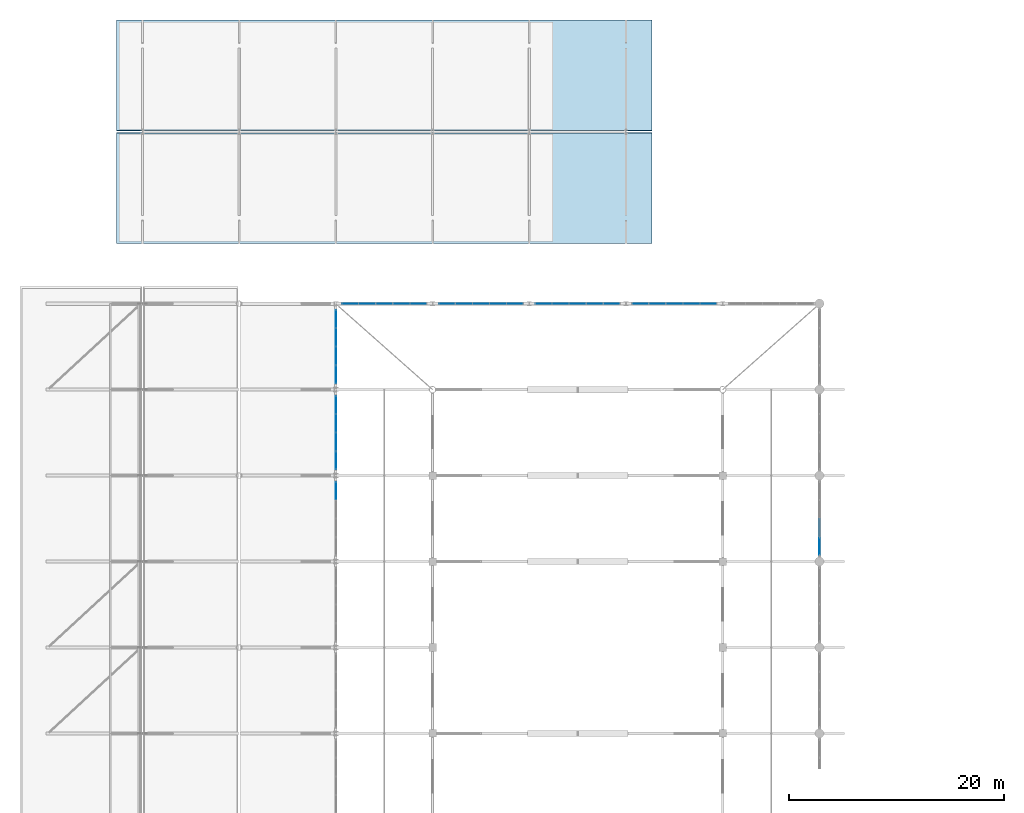
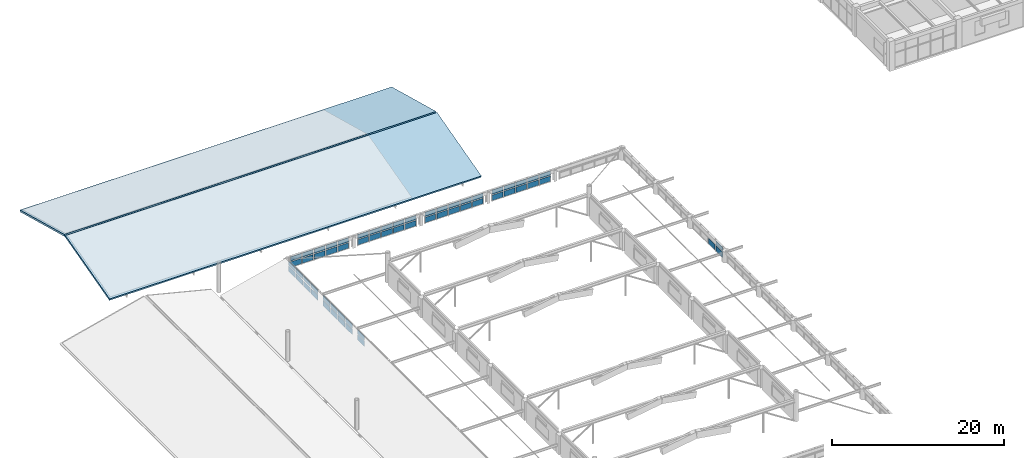
# One storey, part 103 of 128: 61 plates, 2 slabs, 9 elements without a shape of their own.
"""IFC4 building model written with IfcOpenShell, lengths in metres."""

import ifcopenshell
import ifcopenshell.guid

model = None  # the IFC model being written
_history = None  # IfcOwnerHistory: only IFC2X3 demands one
_inside = {}  # id of a spatial element -> (the spatial element, [elements in it])
_under = {}  # id of a project, library or spatial element -> (it, [spatial elements below it])
_declared = {}  # id of a project -> (the project, [libraries it declares])
_typed = {}  # id of a type object -> (the type object, [elements of that type])
_made_of = {}  # id of a material, layer set ... -> (it, [elements and type objects made of it])


def new_model(schema):
    """Start an empty IFC model of exactly this schema.

    Asked for "IFC4X3", IfcOpenShell would pick the latest addendum, in which some entities
    have other attributes; the version numbers below select the first issue.
    IFC2X3 requires an IfcOwnerHistory on every rooted entity: one is made here for all.
    """
    global model, _history
    if schema == "IFC4X3":
        model = ifcopenshell.file(schema_version=(4, 3, 0, 0))
    else:
        model = ifcopenshell.file(schema=schema)
    _inside.clear()
    _under.clear()
    _declared.clear()
    _typed.clear()
    _made_of.clear()
    _history = None
    if model.schema == "IFC2X3":
        org = make("IfcOrganization", Name="unknown")
        user = make(
            "IfcPersonAndOrganization",
            ThePerson=make("IfcPerson", FamilyName="unknown"),
            TheOrganization=org,
        )
        app = make(
            "IfcApplication",
            ApplicationDeveloper=org,
            Version="unknown",
            ApplicationFullName="unknown",
            ApplicationIdentifier="unknown",
        )
        _history = make(
            "IfcOwnerHistory",
            OwningUser=user,
            OwningApplication=app,
            ChangeAction="ADDED",
            CreationDate=0,
        )
    return model


def make(cls, **values):
    """One entity of the class cls with the attributes given. An attribute that is None is left unset."""
    return model.create_entity(
        cls, **{name: value for name, value in values.items() if value is not None}
    )


def rooted(cls, **values):
    """An entity with a GlobalId (a new one), such as an element, a storey or a relation."""
    return make(cls, GlobalId=ifcopenshell.guid.new(), OwnerHistory=_history, **values)


def si_unit(unit_type, name, prefix=None):
    """IfcSIUnit, for example si_unit("LENGTHUNIT", "METRE", prefix="MILLI")."""
    return make("IfcSIUnit", UnitType=unit_type, Prefix=prefix, Name=name)


def derived_unit(unit_type, elements):
    """IfcDerivedUnit: a product of units, each with its exponent."""
    return make(
        "IfcDerivedUnit",
        Elements=[
            make("IfcDerivedUnitElement", Unit=unit, Exponent=power)
            for unit, power in elements
        ],
        UnitType=unit_type,
    )


def assignment(units):
    """IfcUnitAssignment: the units of a project."""
    return None if units is None else make("IfcUnitAssignment", Units=units)


def point(xyz):
    """IfcCartesianPoint."""
    return None if xyz is None else make("IfcCartesianPoint", Coordinates=xyz)


def direction(xyz):
    """IfcDirection."""
    return None if xyz is None else make("IfcDirection", DirectionRatios=xyz)


def frame(location, z_axis=None, x_axis=None):
    """IfcAxis2Placement3D, a coordinate frame: its origin and axes. An axis left out is left unset."""
    return make(
        "IfcAxis2Placement3D",
        Location=point(location),
        Axis=direction(z_axis),
        RefDirection=direction(x_axis),
    )


def frame_2d(location, x_axis=None):
    """IfcAxis2Placement2D, a coordinate frame in the plane: its origin and x axis."""
    return make(
        "IfcAxis2Placement2D", Location=point(location), RefDirection=direction(x_axis)
    )


def origin():
    """The frame at (0, 0, 0) with its axes left unset."""
    return frame((0.0, 0.0, 0.0))


def origin_2d():
    """The frame at (0, 0) in the plane with its x axis left unset."""
    return frame_2d((0.0, 0.0))


def place(relative_to, where):
    """IfcLocalPlacement: puts the frame where relative to a parent placement (None: the world)."""
    return make(
        "IfcLocalPlacement", PlacementRelTo=relative_to, RelativePlacement=where
    )


def context(
    kind, dimensions, precision=None, world=None, true_north=None, identifier=None
):
    """IfcGeometricRepresentationContext, for example the 3D "Model" context."""
    return make(
        "IfcGeometricRepresentationContext",
        ContextIdentifier=identifier,
        ContextType=kind,
        CoordinateSpaceDimension=dimensions,
        Precision=precision,
        WorldCoordinateSystem=world,
        TrueNorth=true_north,
    )


def subcontext(parent, identifier, kind, view, scale=None):
    """IfcGeometricRepresentationSubContext, for example "Body" below "Model"."""
    return make(
        "IfcGeometricRepresentationSubContext",
        ContextIdentifier=identifier,
        ContextType=kind,
        ParentContext=parent,
        TargetScale=scale,
        TargetView=view,
    )


def project(units=None, contexts=None):
    """IfcProject with its units and contexts."""
    return rooted(
        "IfcProject",
        Name="project",
        RepresentationContexts=contexts,
        UnitsInContext=assignment(units),
    )


def spatial(cls, under=None, at=None, **own):
    """A site, building, storey or space (cls), placed at a placement, below another one or the project."""
    s = rooted(cls, ObjectPlacement=at, **own)
    if under is not None:
        _under.setdefault(under.id(), (under, []))[1].append(s)
    return s


def polyline(points):
    """IfcPolyline through the points."""
    return make("IfcPolyline", Points=[point(p) for p in points])


def profile(cls, at=None, kind="AREA", **sizes):
    """A parametric profile (cls). Its sizes go by their IFC names, for example OverallWidth=200.0."""
    return make(cls, ProfileType=kind, Position=at, **sizes)


def rectangle(**sizes):
    """IfcRectangleProfileDef."""
    return profile("IfcRectangleProfileDef", **sizes)


def outline(outer, holes=None, kind="AREA"):
    """IfcArbitraryClosedProfileDef: a profile drawn as a closed curve; with holes, ...WithVoids."""
    if holes is None:
        return make("IfcArbitraryClosedProfileDef", ProfileType=kind, OuterCurve=outer)
    return make(
        "IfcArbitraryProfileDefWithVoids",
        ProfileType=kind,
        OuterCurve=outer,
        InnerCurves=holes,
    )


def extrude(swept, where, along, depth):
    """IfcExtrudedAreaSolid: the profile swept, set in the frame where, extruded along a direction by depth."""
    return make(
        "IfcExtrudedAreaSolid",
        SweptArea=swept,
        Position=where,
        ExtrudedDirection=direction(along),
        Depth=depth,
    )


def shape(context_of_items, identifier, shape_type, items):
    """IfcShapeRepresentation: the items that make up one representation, for example the "Body"."""
    return make(
        "IfcShapeRepresentation",
        ContextOfItems=context_of_items,
        RepresentationIdentifier=identifier,
        RepresentationType=shape_type,
        Items=items,
    )


def material(Name=None, Category=None):
    """IfcMaterial."""
    return make("IfcMaterial", Name=Name, Category=Category)


def layer(
    of_material, thickness, ventilated=None, Name=None, Category=None, Priority=None
):
    """IfcMaterialLayer: one layer of a wall or slab, of a material (None: an air gap)."""
    return make(
        "IfcMaterialLayer",
        Material=of_material,
        LayerThickness=thickness,
        IsVentilated=ventilated,
        Name=Name,
        Category=Category,
        Priority=Priority,
    )


def layer_set(layers, Name=None):
    """IfcMaterialLayerSet."""
    return make("IfcMaterialLayerSet", MaterialLayers=layers, LayerSetName=Name)


def made_of(thing, what):
    """Note that an element or type object is made of a material, layer set ...; save() writes the relation."""
    if what is not None:
        _made_of.setdefault(what.id(), (what, []))[1].append(thing)
    return thing


def type_object(cls, material=None, **own):
    """A type object (cls), such as IfcWallType, which elements share."""
    return made_of(rooted(cls, **own), material)


def element(
    cls,
    number,
    at=None,
    inside=None,
    cuts=None,
    type_object=None,
    material=None,
    context=None,
    identifier="Body",
    shape_type=None,
    held_by="IfcProductDefinitionShape",
    body=None,
    shapes=None,
    **own,
):
    """One element of the class cls, such as IfcWall. Its Tag is "e" and its number.

    at: its placement. inside: the storey or other place that contains it. cuts: it is an
    opening in that element (IfcRelVoidsElement). A single representation is given by context,
    identifier, shape_type and body (its items); several are given by shapes. held_by: the class
    of the entity that holds the representations. save() writes the other relations.
    """
    e = rooted(cls, Tag="e%d" % number, ObjectPlacement=at, **own)
    if body is not None:
        shapes = [shape(context, identifier, shape_type, body)]
    if shapes is not None:
        e.Representation = make(held_by, Representations=shapes)
    if inside is not None:
        _inside.setdefault(inside.id(), (inside, []))[1].append(e)
    if cuts is not None:
        rooted(
            "IfcRelVoidsElement", RelatingBuildingElement=cuts, RelatedOpeningElement=e
        )
    if type_object is not None:
        _typed.setdefault(type_object.id(), (type_object, []))[1].append(e)
    return made_of(e, material)


def aggregate(whole, parts):
    """IfcRelAggregates: a whole, such as a stair, and the parts it consists of."""
    return rooted("IfcRelAggregates", RelatingObject=whole, RelatedObjects=parts)


def save(model, path):
    """Write the relations noted so far, then the file.

    IfcRelAggregates (storeys below a building ...), IfcRelContainedInSpatialStructure (elements
    in a storey), IfcRelDefinesByType, IfcRelAssociatesMaterial and IfcRelDeclares: one each for
    every whole, place, type object, material and project.
    """
    for whole, parts in _under.values():
        aggregate(whole, parts)
    for where, things in _inside.values():
        rooted(
            "IfcRelContainedInSpatialStructure",
            RelatedElements=things,
            RelatingStructure=where,
        )
    for kind, things in _typed.values():
        rooted("IfcRelDefinesByType", RelatedObjects=things, RelatingType=kind)
    for what, things in _made_of.values():
        rooted("IfcRelAssociatesMaterial", RelatedObjects=things, RelatingMaterial=what)
    for by, libraries in _declared.values():
        rooted("IfcRelDeclares", RelatingContext=by, RelatedDefinitions=libraries)
    model.write(path)


model = new_model("IFC4")

# Units and contexts
model_context = context("Model", 3, precision=1e-05, world=origin(), true_north=direction((0.0, 1.0)))
body_context = subcontext(model_context, "Body", "Model", "MODEL_VIEW")
ifc_project = project(units=[si_unit("LENGTHUNIT", "METRE"), si_unit("AREAUNIT", "SQUARE_METRE"), si_unit("VOLUMEUNIT", "CUBIC_METRE"), si_unit("PLANEANGLEUNIT", "RADIAN"), si_unit("MASSUNIT", "GRAM", prefix="KILO"), derived_unit("THERMALTRANSMITTANCEUNIT", [(si_unit("MASSUNIT", "GRAM", prefix="KILO"), 1), (si_unit("TIMEUNIT", "SECOND"), -3), (si_unit("THERMODYNAMICTEMPERATUREUNIT", "KELVIN"), -1)])], contexts=[model_context])

# Site, building, storey
site_placement = place(None, origin())
site = spatial("IfcSite", under=ifc_project, at=site_placement, CompositionType="ELEMENT")
building_placement = place(site_placement, origin())
building = spatial("IfcBuilding", under=site, at=building_placement, Name="Zhenchuan Archway Interchange", CompositionType="ELEMENT")
storey_placement = place(building_placement, frame((0.0, 0.0, 14.39990234375)))
storey = spatial("IfcBuildingStorey", under=building, at=storey_placement, Name="L03", CompositionType="ELEMENT", Elevation=14.39990234375)

# Curtain wall, plate
ifc_material_1 = material(Name="Anodised Aluminium", Category="aluminium")
curtain_wall_type_1 = type_object("IfcCurtainWallType", Name="CW_UNIT_3", PredefinedType="NOTDEFINED", material=ifc_material_1)
curtain_wall_1_placement = place(storey_placement, origin())
curtain_wall_1 = element("IfcCurtainWall", 1, at=curtain_wall_1_placement, inside=storey, type_object=curtain_wall_type_1, Name="Unitised curtain wall CW:L03:RING-W6", PredefinedType="NOTDEFINED")
ifc_material_2 = material(Name="Double Low-E Insulated Glazing", Category="glass")
ifc_layer_1 = layer(ifc_material_2, 0.028076171875)
ifc_layer_set_1 = layer_set([ifc_layer_1], Name="Double Low-E Insulated Glazing")
plate_type_1 = type_object("IfcPlateType", Name="CW_GLZ_1", PredefinedType="CURTAIN_PANEL", material=ifc_layer_set_1)
plate_1_placement = place(storey_placement, frame((27.0, 70.60009765625, 0.10009765625), z_axis=(0.0, 0.0, 1.0), x_axis=(0.0, 1.0, 0.0)))
plate_1 = element("IfcPlate", 2, at=plate_1_placement, type_object=plate_type_1, Name="CW:L03:RING-W6 lower glazing panel 3", PredefinedType="CURTAIN_PANEL", context=body_context, shape_type="SweptSolid", body=[
    extrude(rectangle(XDim=1.580078125, YDim=0.028076171875, at=origin_2d()), origin(), (0.0, 0.0, 1.0), 0.77294921875),
])

# Curtain wall, plates
curtain_wall_2_placement = place(storey_placement, origin())
curtain_wall_2 = element("IfcCurtainWall", 3, at=curtain_wall_2_placement, inside=storey, type_object=curtain_wall_type_1, Name="Unitised curtain wall CW:L03:RING-W7", PredefinedType="NOTDEFINED")
plate_2_placement = place(storey_placement, frame((27.0, 73.39990234375, 0.10009765625), z_axis=(0.0, 0.0, 1.0), x_axis=(0.0, 1.0, 0.0)))
plate_2 = element("IfcPlate", 4, at=plate_2_placement, type_object=plate_type_1, Name="CW:L03:RING-W7 lower glazing panel 0", PredefinedType="CURTAIN_PANEL", context=body_context, shape_type="SweptSolid", body=[
    extrude(rectangle(XDim=1.580078125, YDim=0.028076171875, at=origin_2d()), origin(), (0.0, 0.0, 1.0), 0.77294921875),
])
plate_3_placement = place(storey_placement, frame((27.0, 78.60009765625, 0.10009765625), z_axis=(0.0, 0.0, 1.0), x_axis=(0.0, 1.0, 0.0)))
plate_3 = element("IfcPlate", 5, at=plate_3_placement, type_object=plate_type_1, Name="CW:L03:RING-W7 lower glazing panel 3", PredefinedType="CURTAIN_PANEL", context=body_context, shape_type="SweptSolid", body=[
    extrude(rectangle(XDim=1.580078125, YDim=0.028076171875, at=origin_2d()), origin(), (0.0, 0.0, 1.0), 0.77294921875),
])

curtain_wall_3_placement = place(storey_placement, origin())
curtain_wall_3 = element("IfcCurtainWall", 6, at=curtain_wall_3_placement, inside=storey, type_object=curtain_wall_type_1, Name="Unitised curtain wall CW:L03:RING-W8", PredefinedType="NOTDEFINED")
plate_4_placement = place(storey_placement, frame((27.0, 81.39990234375, 0.10009765625), z_axis=(0.0, 0.0, 1.0), x_axis=(0.0, 1.0, 0.0)))
plate_4 = element("IfcPlate", 7, at=plate_4_placement, type_object=plate_type_1, Name="CW:L03:RING-W8 lower glazing panel 0", PredefinedType="CURTAIN_PANEL", context=body_context, shape_type="SweptSolid", body=[
    extrude(rectangle(XDim=1.580078125, YDim=0.028076171875, at=origin_2d()), origin(), (0.0, 0.0, 1.0), 0.77294921875),
])
plate_5_placement = place(storey_placement, frame((27.0, 86.60009765625, 0.10009765625), z_axis=(0.0, 0.0, 1.0), x_axis=(0.0, 1.0, 0.0)))
plate_5 = element("IfcPlate", 8, at=plate_5_placement, type_object=plate_type_1, Name="CW:L03:RING-W8 lower glazing panel 3", PredefinedType="CURTAIN_PANEL", context=body_context, shape_type="SweptSolid", body=[
    extrude(rectangle(XDim=1.580078125, YDim=0.028076171875, at=origin_2d()), origin(), (0.0, 0.0, 1.0), 0.77294921875),
])

# Curtain wall, plate
curtain_wall_4_placement = place(storey_placement, origin())
curtain_wall_4 = element("IfcCurtainWall", 9, at=curtain_wall_4_placement, inside=storey, type_object=curtain_wall_type_1, Name="Unitised curtain wall CW:L03:RING-E6", PredefinedType="NOTDEFINED")
plate_6_placement = place(storey_placement, frame((72.0, 65.39990234375, 0.10009765625), z_axis=(0.0, 0.0, 1.0), x_axis=(0.0, 1.0, 0.0)))
plate_6 = element("IfcPlate", 10, at=plate_6_placement, type_object=plate_type_1, Name="CW:L03:RING-E6 lower glazing panel 0", PredefinedType="CURTAIN_PANEL", context=body_context, shape_type="SweptSolid", body=[
    extrude(rectangle(XDim=1.580078125, YDim=0.028076171875, at=origin_2d()), origin(), (0.0, 0.0, 1.0), 0.77294921875),
])

# Curtain wall, plates
curtain_wall_type_2 = type_object("IfcCurtainWallType", Name="CW_UNIT_4", PredefinedType="NOTDEFINED", material=ifc_material_1)
curtain_wall_5_placement = place(storey_placement, origin())
curtain_wall_5 = element("IfcCurtainWall", 11, at=curtain_wall_5_placement, inside=storey, type_object=curtain_wall_type_2, Name="Unitised curtain wall CW:L03:RING-N1", PredefinedType="NOTDEFINED")
plate_7_placement = place(storey_placement, frame((28.325927734375, 88.0, 0.10009765625), z_axis=(0.0, 0.0, 1.0), x_axis=(1.0, 0.0, 0.0)))
plate_7 = element("IfcPlate", 12, at=plate_7_placement, type_object=plate_type_1, Name="CW:L03:RING-N1 lower glazing panel 0", PredefinedType="CURTAIN_PANEL", context=body_context, shape_type="SweptSolid", body=[
    extrude(rectangle(XDim=1.431884765625, YDim=0.028076171875, at=origin_2d()), origin(), (0.0, 0.0, 1.0), 0.77294921875),
])
plate_8_placement = place(storey_placement, frame((29.907958984375, 88.0, 0.10009765625), z_axis=(0.0, 0.0, 1.0), x_axis=(1.0, 0.0, 0.0)))
plate_8 = element("IfcPlate", 13, at=plate_8_placement, type_object=plate_type_1, Name="CW:L03:RING-N1 lower glazing panel 1", PredefinedType="CURTAIN_PANEL", context=body_context, shape_type="SweptSolid", body=[
    extrude(rectangle(XDim=1.451904296875, YDim=0.028076171875, at=origin_2d()), origin(), (0.0, 0.0, 1.0), 0.77294921875),
])
plate_9_placement = place(storey_placement, frame((31.5, 88.0, 0.10009765625), z_axis=(0.0, 0.0, 1.0), x_axis=(1.0, 0.0, 0.0)))
plate_9 = element("IfcPlate", 14, at=plate_9_placement, type_object=plate_type_1, Name="CW:L03:RING-N1 lower glazing panel 2", PredefinedType="CURTAIN_PANEL", context=body_context, shape_type="SweptSolid", body=[
    extrude(rectangle(XDim=1.451904296875, YDim=0.028076171875, at=origin_2d()), origin(), (0.0, 0.0, 1.0), 0.77294921875),
])
plate_10_placement = place(storey_placement, frame((33.092041015625, 88.0, 0.10009765625), z_axis=(0.0, 0.0, 1.0), x_axis=(1.0, 0.0, 0.0)))
plate_10 = element("IfcPlate", 15, at=plate_10_placement, type_object=plate_type_1, Name="CW:L03:RING-N1 lower glazing panel 3", PredefinedType="CURTAIN_PANEL", context=body_context, shape_type="SweptSolid", body=[
    extrude(rectangle(XDim=1.451904296875, YDim=0.028076171875, at=origin_2d()), origin(), (0.0, 0.0, 1.0), 0.77294921875),
])
plate_11_placement = place(storey_placement, frame((34.674072265625, 88.0, 0.10009765625), z_axis=(0.0, 0.0, 1.0), x_axis=(1.0, 0.0, 0.0)))
plate_11 = element("IfcPlate", 16, at=plate_11_placement, type_object=plate_type_1, Name="CW:L03:RING-N1 lower glazing panel 4", PredefinedType="CURTAIN_PANEL", context=body_context, shape_type="SweptSolid", body=[
    extrude(rectangle(XDim=1.431884765625, YDim=0.028076171875, at=origin_2d()), origin(), (0.0, 0.0, 1.0), 0.77294921875),
])

curtain_wall_6_placement = place(storey_placement, origin())
curtain_wall_6 = element("IfcCurtainWall", 17, at=curtain_wall_6_placement, inside=storey, type_object=curtain_wall_type_2, Name="Unitised curtain wall CW:L03:RING-N2", PredefinedType="NOTDEFINED")
plate_12_placement = place(storey_placement, frame((37.325927734375, 88.0, 0.10009765625), z_axis=(0.0, 0.0, 1.0), x_axis=(1.0, 0.0, 0.0)))
plate_12 = element("IfcPlate", 18, at=plate_12_placement, type_object=plate_type_1, Name="CW:L03:RING-N2 lower glazing panel 0", PredefinedType="CURTAIN_PANEL", context=body_context, shape_type="SweptSolid", body=[
    extrude(rectangle(XDim=1.431884765625, YDim=0.028076171875, at=origin_2d()), origin(), (0.0, 0.0, 1.0), 0.77294921875),
])
plate_13_placement = place(storey_placement, frame((38.907958984375, 88.0, 0.10009765625), z_axis=(0.0, 0.0, 1.0), x_axis=(1.0, 0.0, 0.0)))
plate_13 = element("IfcPlate", 19, at=plate_13_placement, type_object=plate_type_1, Name="CW:L03:RING-N2 lower glazing panel 1", PredefinedType="CURTAIN_PANEL", context=body_context, shape_type="SweptSolid", body=[
    extrude(rectangle(XDim=1.451904296875, YDim=0.028076171875, at=origin_2d()), origin(), (0.0, 0.0, 1.0), 0.77294921875),
])
plate_14_placement = place(storey_placement, frame((40.5, 88.0, 0.10009765625), z_axis=(0.0, 0.0, 1.0), x_axis=(1.0, 0.0, 0.0)))
plate_14 = element("IfcPlate", 20, at=plate_14_placement, type_object=plate_type_1, Name="CW:L03:RING-N2 lower glazing panel 2", PredefinedType="CURTAIN_PANEL", context=body_context, shape_type="SweptSolid", body=[
    extrude(rectangle(XDim=1.451904296875, YDim=0.028076171875, at=origin_2d()), origin(), (0.0, 0.0, 1.0), 0.77294921875),
])
plate_15_placement = place(storey_placement, frame((42.092041015625, 88.0, 0.10009765625), z_axis=(0.0, 0.0, 1.0), x_axis=(1.0, 0.0, 0.0)))
plate_15 = element("IfcPlate", 21, at=plate_15_placement, type_object=plate_type_1, Name="CW:L03:RING-N2 lower glazing panel 3", PredefinedType="CURTAIN_PANEL", context=body_context, shape_type="SweptSolid", body=[
    extrude(rectangle(XDim=1.451904296875, YDim=0.028076171875, at=origin_2d()), origin(), (0.0, 0.0, 1.0), 0.77294921875),
])
plate_16_placement = place(storey_placement, frame((43.674072265625, 88.0, 0.10009765625), z_axis=(0.0, 0.0, 1.0), x_axis=(1.0, 0.0, 0.0)))
plate_16 = element("IfcPlate", 22, at=plate_16_placement, type_object=plate_type_1, Name="CW:L03:RING-N2 lower glazing panel 4", PredefinedType="CURTAIN_PANEL", context=body_context, shape_type="SweptSolid", body=[
    extrude(rectangle(XDim=1.431884765625, YDim=0.028076171875, at=origin_2d()), origin(), (0.0, 0.0, 1.0), 0.77294921875),
])

curtain_wall_7_placement = place(storey_placement, origin())
curtain_wall_7 = element("IfcCurtainWall", 23, at=curtain_wall_7_placement, inside=storey, type_object=curtain_wall_type_2, Name="Unitised curtain wall CW:L03:RING-N3", PredefinedType="NOTDEFINED")
plate_17_placement = place(storey_placement, frame((46.325927734375, 88.0, 0.10009765625), z_axis=(0.0, 0.0, 1.0), x_axis=(1.0, 0.0, 0.0)))
plate_17 = element("IfcPlate", 24, at=plate_17_placement, type_object=plate_type_1, Name="CW:L03:RING-N3 lower glazing panel 0", PredefinedType="CURTAIN_PANEL", context=body_context, shape_type="SweptSolid", body=[
    extrude(rectangle(XDim=1.431884765625, YDim=0.028076171875, at=origin_2d()), origin(), (0.0, 0.0, 1.0), 0.77294921875),
])
plate_18_placement = place(storey_placement, frame((47.907958984375, 88.0, 0.10009765625), z_axis=(0.0, 0.0, 1.0), x_axis=(1.0, 0.0, 0.0)))
plate_18 = element("IfcPlate", 25, at=plate_18_placement, type_object=plate_type_1, Name="CW:L03:RING-N3 lower glazing panel 1", PredefinedType="CURTAIN_PANEL", context=body_context, shape_type="SweptSolid", body=[
    extrude(rectangle(XDim=1.451904296875, YDim=0.028076171875, at=origin_2d()), origin(), (0.0, 0.0, 1.0), 0.77294921875),
])
plate_19_placement = place(storey_placement, frame((49.5, 88.0, 0.10009765625), z_axis=(0.0, 0.0, 1.0), x_axis=(1.0, 0.0, 0.0)))
plate_19 = element("IfcPlate", 26, at=plate_19_placement, type_object=plate_type_1, Name="CW:L03:RING-N3 lower glazing panel 2", PredefinedType="CURTAIN_PANEL", context=body_context, shape_type="SweptSolid", body=[
    extrude(rectangle(XDim=1.451904296875, YDim=0.028076171875, at=origin_2d()), origin(), (0.0, 0.0, 1.0), 0.77294921875),
])
plate_20_placement = place(storey_placement, frame((51.092041015625, 88.0, 0.10009765625), z_axis=(0.0, 0.0, 1.0), x_axis=(1.0, 0.0, 0.0)))
plate_20 = element("IfcPlate", 27, at=plate_20_placement, type_object=plate_type_1, Name="CW:L03:RING-N3 lower glazing panel 3", PredefinedType="CURTAIN_PANEL", context=body_context, shape_type="SweptSolid", body=[
    extrude(rectangle(XDim=1.451904296875, YDim=0.028076171875, at=origin_2d()), origin(), (0.0, 0.0, 1.0), 0.77294921875),
])
plate_21_placement = place(storey_placement, frame((52.674072265625, 88.0, 0.10009765625), z_axis=(0.0, 0.0, 1.0), x_axis=(1.0, 0.0, 0.0)))
plate_21 = element("IfcPlate", 28, at=plate_21_placement, type_object=plate_type_1, Name="CW:L03:RING-N3 lower glazing panel 4", PredefinedType="CURTAIN_PANEL", context=body_context, shape_type="SweptSolid", body=[
    extrude(rectangle(XDim=1.431884765625, YDim=0.028076171875, at=origin_2d()), origin(), (0.0, 0.0, 1.0), 0.77294921875),
])

curtain_wall_8_placement = place(storey_placement, origin())
curtain_wall_8 = element("IfcCurtainWall", 29, at=curtain_wall_8_placement, inside=storey, type_object=curtain_wall_type_2, Name="Unitised curtain wall CW:L03:RING-N4", PredefinedType="NOTDEFINED")
plate_22_placement = place(storey_placement, frame((55.325927734375, 88.0, 0.10009765625), z_axis=(0.0, 0.0, 1.0), x_axis=(1.0, 0.0, 0.0)))
plate_22 = element("IfcPlate", 30, at=plate_22_placement, type_object=plate_type_1, Name="CW:L03:RING-N4 lower glazing panel 0", PredefinedType="CURTAIN_PANEL", context=body_context, shape_type="SweptSolid", body=[
    extrude(rectangle(XDim=1.431884765625, YDim=0.028076171875, at=origin_2d()), origin(), (0.0, 0.0, 1.0), 0.77294921875),
])
plate_23_placement = place(storey_placement, frame((56.907958984375, 88.0, 0.10009765625), z_axis=(0.0, 0.0, 1.0), x_axis=(1.0, 0.0, 0.0)))
plate_23 = element("IfcPlate", 31, at=plate_23_placement, type_object=plate_type_1, Name="CW:L03:RING-N4 lower glazing panel 1", PredefinedType="CURTAIN_PANEL", context=body_context, shape_type="SweptSolid", body=[
    extrude(rectangle(XDim=1.451904296875, YDim=0.028076171875, at=origin_2d()), origin(), (0.0, 0.0, 1.0), 0.77294921875),
])
plate_24_placement = place(storey_placement, frame((58.5, 88.0, 0.10009765625), z_axis=(0.0, 0.0, 1.0), x_axis=(1.0, 0.0, 0.0)))
plate_24 = element("IfcPlate", 32, at=plate_24_placement, type_object=plate_type_1, Name="CW:L03:RING-N4 lower glazing panel 2", PredefinedType="CURTAIN_PANEL", context=body_context, shape_type="SweptSolid", body=[
    extrude(rectangle(XDim=1.451904296875, YDim=0.028076171875, at=origin_2d()), origin(), (0.0, 0.0, 1.0), 0.77294921875),
])
plate_25_placement = place(storey_placement, frame((60.092041015625, 88.0, 0.10009765625), z_axis=(0.0, 0.0, 1.0), x_axis=(1.0, 0.0, 0.0)))
plate_25 = element("IfcPlate", 33, at=plate_25_placement, type_object=plate_type_1, Name="CW:L03:RING-N4 lower glazing panel 3", PredefinedType="CURTAIN_PANEL", context=body_context, shape_type="SweptSolid", body=[
    extrude(rectangle(XDim=1.451904296875, YDim=0.028076171875, at=origin_2d()), origin(), (0.0, 0.0, 1.0), 0.77294921875),
])
plate_26_placement = place(storey_placement, frame((61.674072265625, 88.0, 0.10009765625), z_axis=(0.0, 0.0, 1.0), x_axis=(1.0, 0.0, 0.0)))
plate_26 = element("IfcPlate", 34, at=plate_26_placement, type_object=plate_type_1, Name="CW:L03:RING-N4 lower glazing panel 4", PredefinedType="CURTAIN_PANEL", context=body_context, shape_type="SweptSolid", body=[
    extrude(rectangle(XDim=1.431884765625, YDim=0.028076171875, at=origin_2d()), origin(), (0.0, 0.0, 1.0), 0.77294921875),
])

# Plate
ifc_layer_2 = layer(ifc_material_2, 0.02587890625)
ifc_layer_set_2 = layer_set([ifc_layer_2], Name="Double Low-E Insulated Glazing")
plate_type_2 = type_object("IfcPlateType", Name="CW_GLZ_2", PredefinedType="CURTAIN_PANEL", material=ifc_layer_set_2)
plate_27_placement = place(storey_placement, frame((27.0, 70.60009765625, 0.9931640625), z_axis=(0.0, 0.0, 1.0), x_axis=(0.0, 1.0, 0.0)))
plate_27 = element("IfcPlate", 35, at=plate_27_placement, type_object=plate_type_2, Name="CW:L03:RING-W6 upper glazing panel 3", PredefinedType="CURTAIN_PANEL", context=body_context, shape_type="SweptSolid", body=[
    extrude(rectangle(XDim=1.580078125, YDim=0.02587890625, at=origin_2d()), origin(), (0.0, 0.0, 1.0), 0.60693359375),
])

aggregate(curtain_wall_1, [plate_1, plate_27])

plate_28_placement = place(storey_placement, frame((27.0, 73.39990234375, 0.9931640625), z_axis=(0.0, 0.0, 1.0), x_axis=(0.0, 1.0, 0.0)))
plate_28 = element("IfcPlate", 36, at=plate_28_placement, type_object=plate_type_2, Name="CW:L03:RING-W7 upper glazing panel 0", PredefinedType="CURTAIN_PANEL", context=body_context, shape_type="SweptSolid", body=[
    extrude(rectangle(XDim=1.580078125, YDim=0.02587890625, at=origin_2d()), origin(), (0.0, 0.0, 1.0), 0.60693359375),
])

plate_29_placement = place(storey_placement, frame((27.0, 78.60009765625, 0.9931640625), z_axis=(0.0, 0.0, 1.0), x_axis=(0.0, 1.0, 0.0)))
plate_29 = element("IfcPlate", 37, at=plate_29_placement, type_object=plate_type_2, Name="CW:L03:RING-W7 upper glazing panel 3", PredefinedType="CURTAIN_PANEL", context=body_context, shape_type="SweptSolid", body=[
    extrude(rectangle(XDim=1.580078125, YDim=0.02587890625, at=origin_2d()), origin(), (0.0, 0.0, 1.0), 0.60693359375),
])

plate_30_placement = place(storey_placement, frame((27.0, 81.39990234375, 0.9931640625), z_axis=(0.0, 0.0, 1.0), x_axis=(0.0, 1.0, 0.0)))
plate_30 = element("IfcPlate", 38, at=plate_30_placement, type_object=plate_type_2, Name="CW:L03:RING-W8 upper glazing panel 0", PredefinedType="CURTAIN_PANEL", context=body_context, shape_type="SweptSolid", body=[
    extrude(rectangle(XDim=1.580078125, YDim=0.02587890625, at=origin_2d()), origin(), (0.0, 0.0, 1.0), 0.60693359375),
])

plate_31_placement = place(storey_placement, frame((27.0, 86.60009765625, 0.9931640625), z_axis=(0.0, 0.0, 1.0), x_axis=(0.0, 1.0, 0.0)))
plate_31 = element("IfcPlate", 39, at=plate_31_placement, type_object=plate_type_2, Name="CW:L03:RING-W8 upper glazing panel 3", PredefinedType="CURTAIN_PANEL", context=body_context, shape_type="SweptSolid", body=[
    extrude(rectangle(XDim=1.580078125, YDim=0.02587890625, at=origin_2d()), origin(), (0.0, 0.0, 1.0), 0.60693359375),
])

plate_32_placement = place(storey_placement, frame((72.0, 65.39990234375, 0.9931640625), z_axis=(0.0, 0.0, 1.0), x_axis=(0.0, 1.0, 0.0)))
plate_32 = element("IfcPlate", 40, at=plate_32_placement, type_object=plate_type_2, Name="CW:L03:RING-E6 upper glazing panel 0", PredefinedType="CURTAIN_PANEL", context=body_context, shape_type="SweptSolid", body=[
    extrude(rectangle(XDim=1.580078125, YDim=0.02587890625, at=origin_2d()), origin(), (0.0, 0.0, 1.0), 0.60693359375),
])

plate_33_placement = place(storey_placement, frame((28.325927734375, 88.0, 0.9931640625), z_axis=(0.0, 0.0, 1.0), x_axis=(1.0, 0.0, 0.0)))
plate_33 = element("IfcPlate", 41, at=plate_33_placement, type_object=plate_type_2, Name="CW:L03:RING-N1 upper glazing panel 0", PredefinedType="CURTAIN_PANEL", context=body_context, shape_type="SweptSolid", body=[
    extrude(rectangle(XDim=1.431884765625, YDim=0.02587890625, at=origin_2d()), origin(), (0.0, 0.0, 1.0), 0.60693359375),
])

plate_34_placement = place(storey_placement, frame((29.907958984375, 88.0, 0.9931640625), z_axis=(0.0, 0.0, 1.0), x_axis=(1.0, 0.0, 0.0)))
plate_34 = element("IfcPlate", 42, at=plate_34_placement, type_object=plate_type_2, Name="CW:L03:RING-N1 upper glazing panel 1", PredefinedType="CURTAIN_PANEL", context=body_context, shape_type="SweptSolid", body=[
    extrude(rectangle(XDim=1.451904296875, YDim=0.02587890625, at=origin_2d()), origin(), (0.0, 0.0, 1.0), 0.60693359375),
])

plate_35_placement = place(storey_placement, frame((31.5, 88.0, 0.9931640625), z_axis=(0.0, 0.0, 1.0), x_axis=(1.0, 0.0, 0.0)))
plate_35 = element("IfcPlate", 43, at=plate_35_placement, type_object=plate_type_2, Name="CW:L03:RING-N1 upper glazing panel 2", PredefinedType="CURTAIN_PANEL", context=body_context, shape_type="SweptSolid", body=[
    extrude(rectangle(XDim=1.451904296875, YDim=0.02587890625, at=origin_2d()), origin(), (0.0, 0.0, 1.0), 0.60693359375),
])

plate_36_placement = place(storey_placement, frame((33.092041015625, 88.0, 0.9931640625), z_axis=(0.0, 0.0, 1.0), x_axis=(1.0, 0.0, 0.0)))
plate_36 = element("IfcPlate", 44, at=plate_36_placement, type_object=plate_type_2, Name="CW:L03:RING-N1 upper glazing panel 3", PredefinedType="CURTAIN_PANEL", context=body_context, shape_type="SweptSolid", body=[
    extrude(rectangle(XDim=1.451904296875, YDim=0.02587890625, at=origin_2d()), origin(), (0.0, 0.0, 1.0), 0.60693359375),
])

plate_37_placement = place(storey_placement, frame((34.674072265625, 88.0, 0.9931640625), z_axis=(0.0, 0.0, 1.0), x_axis=(1.0, 0.0, 0.0)))
plate_37 = element("IfcPlate", 45, at=plate_37_placement, type_object=plate_type_2, Name="CW:L03:RING-N1 upper glazing panel 4", PredefinedType="CURTAIN_PANEL", context=body_context, shape_type="SweptSolid", body=[
    extrude(rectangle(XDim=1.431884765625, YDim=0.02587890625, at=origin_2d()), origin(), (0.0, 0.0, 1.0), 0.60693359375),
])

aggregate(curtain_wall_5, [plate_7, plate_33, plate_8, plate_34, plate_9, plate_35, plate_10, plate_36, plate_11, plate_37])

plate_38_placement = place(storey_placement, frame((37.325927734375, 88.0, 0.9931640625), z_axis=(0.0, 0.0, 1.0), x_axis=(1.0, 0.0, 0.0)))
plate_38 = element("IfcPlate", 46, at=plate_38_placement, type_object=plate_type_2, Name="CW:L03:RING-N2 upper glazing panel 0", PredefinedType="CURTAIN_PANEL", context=body_context, shape_type="SweptSolid", body=[
    extrude(rectangle(XDim=1.431884765625, YDim=0.02587890625, at=origin_2d()), origin(), (0.0, 0.0, 1.0), 0.60693359375),
])

plate_39_placement = place(storey_placement, frame((38.907958984375, 88.0, 0.9931640625), z_axis=(0.0, 0.0, 1.0), x_axis=(1.0, 0.0, 0.0)))
plate_39 = element("IfcPlate", 47, at=plate_39_placement, type_object=plate_type_2, Name="CW:L03:RING-N2 upper glazing panel 1", PredefinedType="CURTAIN_PANEL", context=body_context, shape_type="SweptSolid", body=[
    extrude(rectangle(XDim=1.451904296875, YDim=0.02587890625, at=origin_2d()), origin(), (0.0, 0.0, 1.0), 0.60693359375),
])

plate_40_placement = place(storey_placement, frame((40.5, 88.0, 0.9931640625), z_axis=(0.0, 0.0, 1.0), x_axis=(1.0, 0.0, 0.0)))
plate_40 = element("IfcPlate", 48, at=plate_40_placement, type_object=plate_type_2, Name="CW:L03:RING-N2 upper glazing panel 2", PredefinedType="CURTAIN_PANEL", context=body_context, shape_type="SweptSolid", body=[
    extrude(rectangle(XDim=1.451904296875, YDim=0.02587890625, at=origin_2d()), origin(), (0.0, 0.0, 1.0), 0.60693359375),
])

plate_41_placement = place(storey_placement, frame((42.092041015625, 88.0, 0.9931640625), z_axis=(0.0, 0.0, 1.0), x_axis=(1.0, 0.0, 0.0)))
plate_41 = element("IfcPlate", 49, at=plate_41_placement, type_object=plate_type_2, Name="CW:L03:RING-N2 upper glazing panel 3", PredefinedType="CURTAIN_PANEL", context=body_context, shape_type="SweptSolid", body=[
    extrude(rectangle(XDim=1.451904296875, YDim=0.02587890625, at=origin_2d()), origin(), (0.0, 0.0, 1.0), 0.60693359375),
])

plate_42_placement = place(storey_placement, frame((43.674072265625, 88.0, 0.9931640625), z_axis=(0.0, 0.0, 1.0), x_axis=(1.0, 0.0, 0.0)))
plate_42 = element("IfcPlate", 50, at=plate_42_placement, type_object=plate_type_2, Name="CW:L03:RING-N2 upper glazing panel 4", PredefinedType="CURTAIN_PANEL", context=body_context, shape_type="SweptSolid", body=[
    extrude(rectangle(XDim=1.431884765625, YDim=0.02587890625, at=origin_2d()), origin(), (0.0, 0.0, 1.0), 0.60693359375),
])

aggregate(curtain_wall_6, [plate_12, plate_38, plate_13, plate_39, plate_14, plate_40, plate_15, plate_41, plate_16, plate_42])

plate_43_placement = place(storey_placement, frame((46.325927734375, 88.0, 0.9931640625), z_axis=(0.0, 0.0, 1.0), x_axis=(1.0, 0.0, 0.0)))
plate_43 = element("IfcPlate", 51, at=plate_43_placement, type_object=plate_type_2, Name="CW:L03:RING-N3 upper glazing panel 0", PredefinedType="CURTAIN_PANEL", context=body_context, shape_type="SweptSolid", body=[
    extrude(rectangle(XDim=1.431884765625, YDim=0.02587890625, at=origin_2d()), origin(), (0.0, 0.0, 1.0), 0.60693359375),
])

plate_44_placement = place(storey_placement, frame((47.907958984375, 88.0, 0.9931640625), z_axis=(0.0, 0.0, 1.0), x_axis=(1.0, 0.0, 0.0)))
plate_44 = element("IfcPlate", 52, at=plate_44_placement, type_object=plate_type_2, Name="CW:L03:RING-N3 upper glazing panel 1", PredefinedType="CURTAIN_PANEL", context=body_context, shape_type="SweptSolid", body=[
    extrude(rectangle(XDim=1.451904296875, YDim=0.02587890625, at=origin_2d()), origin(), (0.0, 0.0, 1.0), 0.60693359375),
])

plate_45_placement = place(storey_placement, frame((49.5, 88.0, 0.9931640625), z_axis=(0.0, 0.0, 1.0), x_axis=(1.0, 0.0, 0.0)))
plate_45 = element("IfcPlate", 53, at=plate_45_placement, type_object=plate_type_2, Name="CW:L03:RING-N3 upper glazing panel 2", PredefinedType="CURTAIN_PANEL", context=body_context, shape_type="SweptSolid", body=[
    extrude(rectangle(XDim=1.451904296875, YDim=0.02587890625, at=origin_2d()), origin(), (0.0, 0.0, 1.0), 0.60693359375),
])

plate_46_placement = place(storey_placement, frame((51.092041015625, 88.0, 0.9931640625), z_axis=(0.0, 0.0, 1.0), x_axis=(1.0, 0.0, 0.0)))
plate_46 = element("IfcPlate", 54, at=plate_46_placement, type_object=plate_type_2, Name="CW:L03:RING-N3 upper glazing panel 3", PredefinedType="CURTAIN_PANEL", context=body_context, shape_type="SweptSolid", body=[
    extrude(rectangle(XDim=1.451904296875, YDim=0.02587890625, at=origin_2d()), origin(), (0.0, 0.0, 1.0), 0.60693359375),
])

plate_47_placement = place(storey_placement, frame((52.674072265625, 88.0, 0.9931640625), z_axis=(0.0, 0.0, 1.0), x_axis=(1.0, 0.0, 0.0)))
plate_47 = element("IfcPlate", 55, at=plate_47_placement, type_object=plate_type_2, Name="CW:L03:RING-N3 upper glazing panel 4", PredefinedType="CURTAIN_PANEL", context=body_context, shape_type="SweptSolid", body=[
    extrude(rectangle(XDim=1.431884765625, YDim=0.02587890625, at=origin_2d()), origin(), (0.0, 0.0, 1.0), 0.60693359375),
])

aggregate(curtain_wall_7, [plate_17, plate_43, plate_18, plate_44, plate_19, plate_45, plate_20, plate_46, plate_21, plate_47])

plate_48_placement = place(storey_placement, frame((55.325927734375, 88.0, 0.9931640625), z_axis=(0.0, 0.0, 1.0), x_axis=(1.0, 0.0, 0.0)))
plate_48 = element("IfcPlate", 56, at=plate_48_placement, type_object=plate_type_2, Name="CW:L03:RING-N4 upper glazing panel 0", PredefinedType="CURTAIN_PANEL", context=body_context, shape_type="SweptSolid", body=[
    extrude(rectangle(XDim=1.431884765625, YDim=0.02587890625, at=origin_2d()), origin(), (0.0, 0.0, 1.0), 0.60693359375),
])

plate_49_placement = place(storey_placement, frame((56.907958984375, 88.0, 0.9931640625), z_axis=(0.0, 0.0, 1.0), x_axis=(1.0, 0.0, 0.0)))
plate_49 = element("IfcPlate", 57, at=plate_49_placement, type_object=plate_type_2, Name="CW:L03:RING-N4 upper glazing panel 1", PredefinedType="CURTAIN_PANEL", context=body_context, shape_type="SweptSolid", body=[
    extrude(rectangle(XDim=1.451904296875, YDim=0.02587890625, at=origin_2d()), origin(), (0.0, 0.0, 1.0), 0.60693359375),
])

plate_50_placement = place(storey_placement, frame((58.5, 88.0, 0.9931640625), z_axis=(0.0, 0.0, 1.0), x_axis=(1.0, 0.0, 0.0)))
plate_50 = element("IfcPlate", 58, at=plate_50_placement, type_object=plate_type_2, Name="CW:L03:RING-N4 upper glazing panel 2", PredefinedType="CURTAIN_PANEL", context=body_context, shape_type="SweptSolid", body=[
    extrude(rectangle(XDim=1.451904296875, YDim=0.02587890625, at=origin_2d()), origin(), (0.0, 0.0, 1.0), 0.60693359375),
])

plate_51_placement = place(storey_placement, frame((60.092041015625, 88.0, 0.9931640625), z_axis=(0.0, 0.0, 1.0), x_axis=(1.0, 0.0, 0.0)))
plate_51 = element("IfcPlate", 59, at=plate_51_placement, type_object=plate_type_2, Name="CW:L03:RING-N4 upper glazing panel 3", PredefinedType="CURTAIN_PANEL", context=body_context, shape_type="SweptSolid", body=[
    extrude(rectangle(XDim=1.451904296875, YDim=0.02587890625, at=origin_2d()), origin(), (0.0, 0.0, 1.0), 0.60693359375),
])

plate_52_placement = place(storey_placement, frame((61.674072265625, 88.0, 0.9931640625), z_axis=(0.0, 0.0, 1.0), x_axis=(1.0, 0.0, 0.0)))
plate_52 = element("IfcPlate", 60, at=plate_52_placement, type_object=plate_type_2, Name="CW:L03:RING-N4 upper glazing panel 4", PredefinedType="CURTAIN_PANEL", context=body_context, shape_type="SweptSolid", body=[
    extrude(rectangle(XDim=1.431884765625, YDim=0.02587890625, at=origin_2d()), origin(), (0.0, 0.0, 1.0), 0.60693359375),
])

aggregate(curtain_wall_8, [plate_22, plate_48, plate_23, plate_49, plate_24, plate_50, plate_25, plate_51, plate_26, plate_52])

ifc_layer_3 = layer(ifc_material_2, 0.030029296875)
ifc_layer_set_3 = layer_set([ifc_layer_3], Name="Double Low-E Insulated Glazing")
plate_type_3 = type_object("IfcPlateType", Name="CW_GLZ_3", PredefinedType="CURTAIN_PANEL", material=ifc_layer_set_3)
plate_53_placement = place(storey_placement, frame((27.0, 75.1298828125, 0.10009765625), z_axis=(0.0, 0.0, 1.0), x_axis=(0.0, 1.0, 0.0)))
plate_53 = element("IfcPlate", 61, at=plate_53_placement, type_object=plate_type_3, Name="CW:L03:RING-W7 lower glazing panel 1", PredefinedType="CURTAIN_PANEL", context=body_context, shape_type="SweptSolid", body=[
    extrude(rectangle(XDim=1.60009765625, YDim=0.028076171875, at=origin_2d()), origin(), (0.0, 0.0, 1.0), 0.77294921875),
])

plate_54_placement = place(storey_placement, frame((27.0, 76.8701171875, 0.10009765625), z_axis=(0.0, 0.0, 1.0), x_axis=(0.0, 1.0, 0.0)))
plate_54 = element("IfcPlate", 62, at=plate_54_placement, type_object=plate_type_3, Name="CW:L03:RING-W7 lower glazing panel 2", PredefinedType="CURTAIN_PANEL", context=body_context, shape_type="SweptSolid", body=[
    extrude(rectangle(XDim=1.60009765625, YDim=0.028076171875, at=origin_2d()), origin(), (0.0, 0.0, 1.0), 0.77294921875),
])

plate_55_placement = place(storey_placement, frame((27.0, 83.1298828125, 0.10009765625), z_axis=(0.0, 0.0, 1.0), x_axis=(0.0, 1.0, 0.0)))
plate_55 = element("IfcPlate", 63, at=plate_55_placement, type_object=plate_type_3, Name="CW:L03:RING-W8 lower glazing panel 1", PredefinedType="CURTAIN_PANEL", context=body_context, shape_type="SweptSolid", body=[
    extrude(rectangle(XDim=1.60009765625, YDim=0.028076171875, at=origin_2d()), origin(), (0.0, 0.0, 1.0), 0.77294921875),
])

plate_56_placement = place(storey_placement, frame((27.0, 84.8701171875, 0.10009765625), z_axis=(0.0, 0.0, 1.0), x_axis=(0.0, 1.0, 0.0)))
plate_56 = element("IfcPlate", 64, at=plate_56_placement, type_object=plate_type_3, Name="CW:L03:RING-W8 lower glazing panel 2", PredefinedType="CURTAIN_PANEL", context=body_context, shape_type="SweptSolid", body=[
    extrude(rectangle(XDim=1.60009765625, YDim=0.028076171875, at=origin_2d()), origin(), (0.0, 0.0, 1.0), 0.77294921875),
])

plate_57_placement = place(storey_placement, frame((72.0, 67.1298828125, 0.10009765625), z_axis=(0.0, 0.0, 1.0), x_axis=(0.0, 1.0, 0.0)))
plate_57 = element("IfcPlate", 65, at=plate_57_placement, type_object=plate_type_3, Name="CW:L03:RING-E6 lower glazing panel 1", PredefinedType="CURTAIN_PANEL", context=body_context, shape_type="SweptSolid", body=[
    extrude(rectangle(XDim=1.60009765625, YDim=0.028076171875, at=origin_2d()), origin(), (0.0, 0.0, 1.0), 0.77294921875),
])

aggregate(curtain_wall_4, [plate_6, plate_32, plate_57])

ifc_layer_4 = layer(ifc_material_2, 0.02392578125)
ifc_layer_set_4 = layer_set([ifc_layer_4], Name="Double Low-E Insulated Glazing")
plate_type_4 = type_object("IfcPlateType", Name="CW_GLZ_4", PredefinedType="CURTAIN_PANEL", material=ifc_layer_set_4)
plate_58_placement = place(storey_placement, frame((27.0, 75.1298828125, 0.9931640625), z_axis=(0.0, 0.0, 1.0), x_axis=(0.0, 1.0, 0.0)))
plate_58 = element("IfcPlate", 66, at=plate_58_placement, type_object=plate_type_4, Name="CW:L03:RING-W7 upper glazing panel 1", PredefinedType="CURTAIN_PANEL", context=body_context, shape_type="SweptSolid", body=[
    extrude(rectangle(XDim=1.60009765625, YDim=0.02587890625, at=origin_2d()), origin(), (0.0, 0.0, 1.0), 0.60693359375),
])

plate_59_placement = place(storey_placement, frame((27.0, 76.8701171875, 0.9931640625), z_axis=(0.0, 0.0, 1.0), x_axis=(0.0, 1.0, 0.0)))
plate_59 = element("IfcPlate", 67, at=plate_59_placement, type_object=plate_type_4, Name="CW:L03:RING-W7 upper glazing panel 2", PredefinedType="CURTAIN_PANEL", context=body_context, shape_type="SweptSolid", body=[
    extrude(rectangle(XDim=1.60009765625, YDim=0.02587890625, at=origin_2d()), origin(), (0.0, 0.0, 1.0), 0.60693359375),
])

aggregate(curtain_wall_2, [plate_2, plate_28, plate_53, plate_58, plate_54, plate_59, plate_3, plate_29])

plate_60_placement = place(storey_placement, frame((27.0, 83.1298828125, 0.9931640625), z_axis=(0.0, 0.0, 1.0), x_axis=(0.0, 1.0, 0.0)))
plate_60 = element("IfcPlate", 68, at=plate_60_placement, type_object=plate_type_4, Name="CW:L03:RING-W8 upper glazing panel 1", PredefinedType="CURTAIN_PANEL", context=body_context, shape_type="SweptSolid", body=[
    extrude(rectangle(XDim=1.60009765625, YDim=0.02587890625, at=origin_2d()), origin(), (0.0, 0.0, 1.0), 0.60693359375),
])

plate_61_placement = place(storey_placement, frame((27.0, 84.8701171875, 0.9931640625), z_axis=(0.0, 0.0, 1.0), x_axis=(0.0, 1.0, 0.0)))
plate_61 = element("IfcPlate", 69, at=plate_61_placement, type_object=plate_type_4, Name="CW:L03:RING-W8 upper glazing panel 2", PredefinedType="CURTAIN_PANEL", context=body_context, shape_type="SweptSolid", body=[
    extrude(rectangle(XDim=1.60009765625, YDim=0.02587890625, at=origin_2d()), origin(), (0.0, 0.0, 1.0), 0.60693359375),
])

aggregate(curtain_wall_3, [plate_4, plate_30, plate_55, plate_60, plate_56, plate_61, plate_5, plate_31])

# Roof, slabs
ifc_material_3 = material(Name="Concrete C35", Category="concrete")
roof_type = type_object("IfcRoofType", Name="ROOF_LINGNAN_STORM", PredefinedType="GABLE_ROOF", material=ifc_material_3)
roof_placement = place(storey_placement, origin())
roof = element("IfcRoof", 70, at=roof_placement, inside=storey, type_object=roof_type, Name="Terminal Wing low-anchored Lingnan storm roof", PredefinedType="GABLE_ROOF")
ifc_layer_5 = layer(ifc_material_3, 0.260009765625)
ifc_layer_set_5 = layer_set([ifc_layer_5], Name="Concrete C35")
slab_type = type_object("IfcSlabType", Name="SLB_ROOF_260", PredefinedType="ROOF", material=ifc_layer_set_5)
slab_1_placement = place(storey_placement, frame((6.60009765625, 93.60009765625, -0.429931640625), z_axis=(0.0, -0.258877503478, 0.965910160519), x_axis=(1.0, 0.0, 0.0)))
slab_1 = element("IfcSlab", 71, at=slab_1_placement, type_object=slab_type, Name="Terminal Wing south Lingnan storm roof slope", PredefinedType="ROOF", context=body_context, shape_type="SweptSolid", body=[
    extrude(outline(polyline([(0.0, 0.0), (49.7998046875, 0.0), (49.7998046875, 10.642589317759738), (0.0, 10.642589317759738), (0.0, 0.0)])), origin(), (0.0, 0.0, -1.0), 0.260009765625),
])
slab_2_placement = place(storey_placement, frame((6.60009765625, 104.1201171875, 2.3251953125), z_axis=(0.0, 0.258877503478, 0.965910160519), x_axis=(1.0, 0.0, 0.0)))
slab_2 = element("IfcSlab", 72, at=slab_2_placement, type_object=slab_type, Name="Terminal Wing north Lingnan storm roof slope", PredefinedType="ROOF", context=body_context, shape_type="SweptSolid", body=[
    extrude(outline(polyline([(0.0, 0.0), (49.7998046875, 0.0), (49.7998046875, 10.642589317759738), (0.0, 10.642589317759738), (0.0, 0.0)])), origin(), (0.0, 0.0, -1.0), 0.260009765625),
])
aggregate(roof, [slab_1, slab_2])

save(model, "model.ifc")
